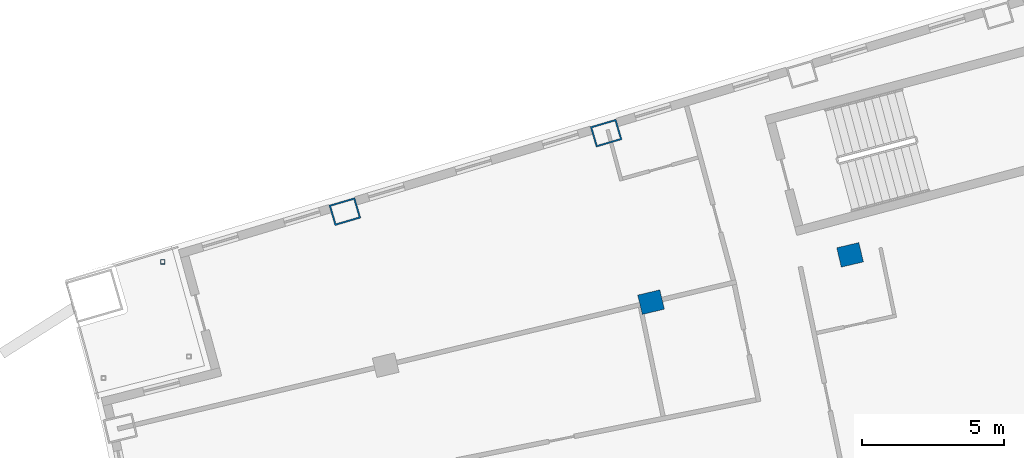
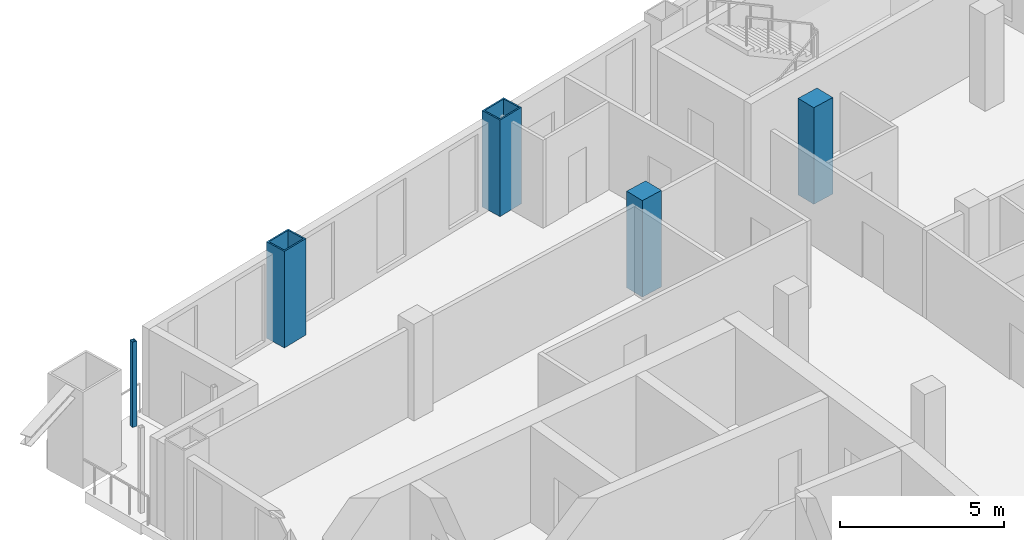
# One storey, part 7 of 18: 5 columns.
"""IFC4 building model written with IfcOpenShell, lengths in metres."""

from ifc_helpers import new_model, si_unit, direction, frame, origin, origin_2d, place, context, subcontext, project, spatial, rectangle, hollow_rectangle, extrude, material, material_profile, profile_set, type_object, element, save


model = new_model("IFC4")

# Units and contexts
model_context = context("Model", 3, precision=1e-05, world=origin(), true_north=direction((0.0, 1.0)))
body_context = subcontext(model_context, "Body", "Model", "MODEL_VIEW")
ifc_project = project(units=[si_unit("LENGTHUNIT", "METRE"), si_unit("AREAUNIT", "SQUARE_METRE"), si_unit("VOLUMEUNIT", "CUBIC_METRE"), si_unit("PLANEANGLEUNIT", "RADIAN"), si_unit("MASSUNIT", "GRAM", prefix="KILO")], contexts=[model_context])

# Site, building, storey
site_placement = place(None, origin())
site = spatial("IfcSite", under=ifc_project, at=site_placement, CompositionType="ELEMENT")
building_placement = place(site_placement, origin())
building = spatial("IfcBuilding", under=site, at=building_placement, Name="Alderwake Tower", CompositionType="ELEMENT")
storey_placement = place(building_placement, frame((0.0, 0.0, 225.199951171875)))
storey = spatial("IfcBuildingStorey", under=building, at=storey_placement, Name="L56", CompositionType="ELEMENT", Elevation=225.199951171875)

# Columns
ifc_material_1 = material(Name="Steel ASTM A572 Grade 50 concrete filled C70/85", Category="concrete")
ifc_material_profile_1 = material_profile(ifc_material_1, hollow_rectangle(XDim=0.75, YDim=0.949951171875, WallThickness=0.054931640625, at=origin_2d()), Name="BOX 950X750X55")
ifc_profile_set_1 = profile_set([ifc_material_profile_1], Name="Steel ASTM A572 Grade 50 concrete filled C70/85")
column_type_1 = type_object("IfcColumnType", Name="End column Z4", PredefinedType="COLUMN", material=ifc_profile_set_1)
for number, where, z_axis, x_axis, name in (
    (1, (21.885498046875, 90.96240234375, 0.0), (0.0, 0.0, 1.0), (-0.282132160283, 0.95937554906, 0.0), "Column R12-C1"),
    (2, (31.080322265625, 93.72314453125, 0.0), (0.0, 0.0, 1.0), (-0.282582549822, 0.959242984095, 0.0), "Column R12-C2"),
):
    element("IfcColumn", number, at=place(storey_placement, frame(where, z_axis=z_axis, x_axis=x_axis)), inside=storey, type_object=column_type_1, Name=name, PredefinedType="COLUMN", context=body_context, shape_type="SweptSolid", body=[
        extrude(hollow_rectangle(XDim=0.75, YDim=0.949951171875, WallThickness=0.054931640625, at=origin_2d()), origin(), (0.0, 0.0, 1.0), 3.60009765625),
    ])
ifc_material_2 = material(Name="Concrete C70/85", Category="concrete")
ifc_material_profile_2 = material_profile(ifc_material_2, rectangle(XDim=0.699951171875, YDim=0.800048828125, at=origin_2d()), Name="RC 800X700")
ifc_profile_set_2 = profile_set([ifc_material_profile_2], Name="Concrete C70/85")
column_type_2 = type_object("IfcColumnType", Name="Interior column Z4", PredefinedType="COLUMN", material=ifc_profile_set_2)
for number, where, z_axis, x_axis, name in (
    (3, (32.661865234375, 87.775390625, 0.0), (0.0, 0.0, 1.0), (-0.231221547198, 0.972901123502, 0.0), "Column R11-C2"),
    (4, (39.666748046875, 89.440185546875, 0.0), (0.0, 0.0, 1.0), (-0.231221547198, 0.972901123502, 0.0), "Column R11-C3"),
):
    element("IfcColumn", number, at=place(storey_placement, frame(where, z_axis=z_axis, x_axis=x_axis)), inside=storey, type_object=column_type_2, Name=name, PredefinedType="COLUMN", context=body_context, shape_type="SweptSolid", body=[
        extrude(rectangle(XDim=0.699951171875, YDim=0.800048828125, at=origin_2d()), origin(), (0.0, 0.0, 1.0), 3.60009765625),
    ])
ifc_material_3 = material(Name="Steel ASTM A500 Grade C", Category="steel")
ifc_material_profile_3 = material_profile(ifc_material_3, hollow_rectangle(XDim=0.15234375, YDim=0.15234375, WallThickness=0.0087890625, at=origin_2d()), Name="HSS6X6X3/8")
ifc_profile_set_3 = profile_set([ifc_material_profile_3], Name="Steel ASTM A500 Grade C")
column_type_3 = type_object("IfcColumnType", Name="Light post HSS6X6X3/8", PredefinedType="COLUMN", material=ifc_profile_set_3)
column_placement = place(storey_placement, frame((15.47412109375, 89.194091796875, 0.0), z_axis=(0.0, 0.0, 1.0), x_axis=(1.0, 0.0, 0.0)))
element("IfcColumn", 5, at=column_placement, inside=storey, type_object=column_type_3, Name="Terrace post RN2", PredefinedType="COLUMN", context=body_context, shape_type="SweptSolid", body=[
    extrude(hollow_rectangle(XDim=0.15234375, YDim=0.15234375, WallThickness=0.0087890625, at=origin_2d()), origin(), (0.0, 0.0, 1.0), 3.179931640625),
])

save(model, "model.ifc")
